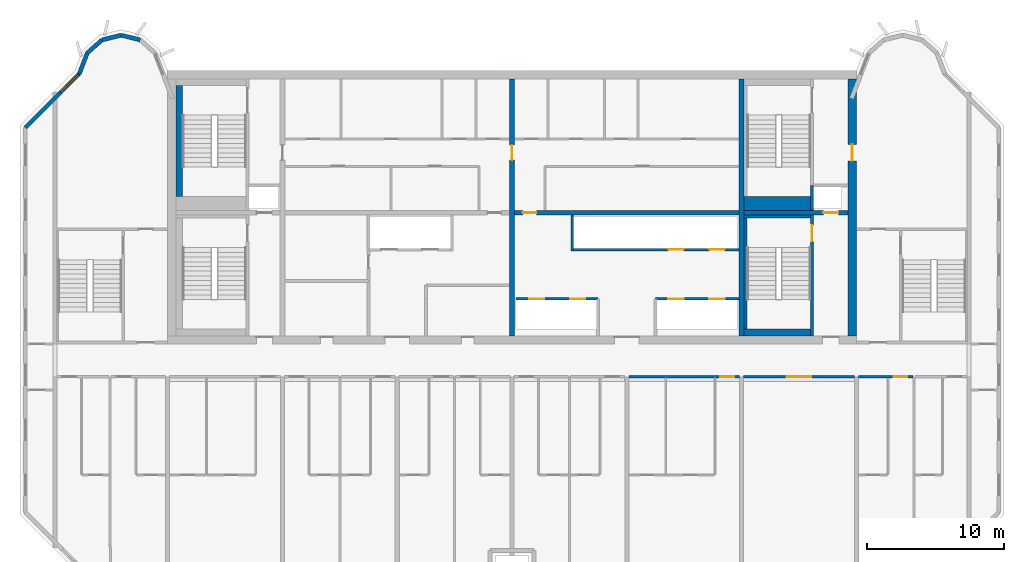
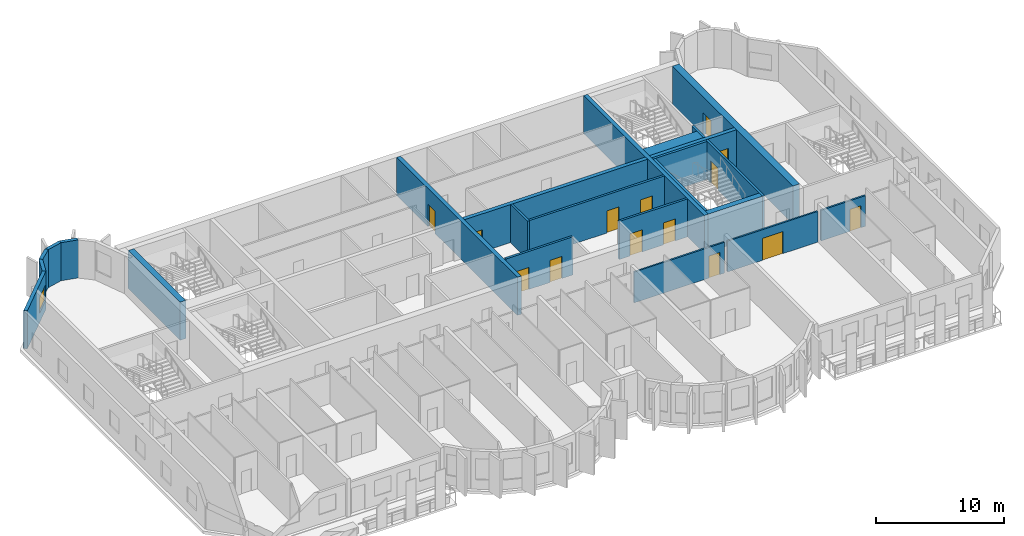
# One storey, part 6 of 11: 24 walls, 14 doors, 1 window, 15 openings.
"""IFC4 building model written with IfcOpenShell, lengths in metres."""

from ifc_helpers import new_model, si_unit, direction, frame, frame_2d, origin, place, context, subcontext, project, spatial, rectangle, extrude, source, transform, mapped, material, layer, layer_set, type_object, element, fill, save


model = new_model("IFC4")

# Units and contexts
model_context = context("Model", 3, precision=1e-05, world=origin(), true_north=direction((0.0, 1.0)))
body_context = subcontext(model_context, "Body", "Model", "MODEL_VIEW")
ifc_project = project(units=[si_unit("LENGTHUNIT", "METRE"), si_unit("AREAUNIT", "SQUARE_METRE"), si_unit("VOLUMEUNIT", "CUBIC_METRE"), si_unit("PLANEANGLEUNIT", "RADIAN"), si_unit("MASSUNIT", "GRAM", prefix="KILO")], contexts=[model_context])

# Site, building, storey
site_placement = place(None, origin())
site = spatial("IfcSite", under=ifc_project, at=site_placement, CompositionType="ELEMENT")
building_placement = place(site_placement, origin())
building = spatial("IfcBuilding", under=site, at=building_placement, Name="Vanashikhar Sky Hotel", CompositionType="ELEMENT")
storey_placement = place(building_placement, frame((0.0, 0.0, 233.5)))
storey = spatial("IfcBuildingStorey", under=building, at=storey_placement, Name="L56", CompositionType="ELEMENT", Elevation=233.5)

# Wall, opening, door
ifc_material_1 = material(Name="Concrete M60", Category="concrete")
ifc_layer_1 = layer(ifc_material_1, 0.60009765625)
ifc_layer_set_1 = layer_set([ifc_layer_1], Name="RC core shell wall 600 Concrete M60")
wall_type_1 = type_object("IfcWallType", Name="RC core shell wall 600 Concrete M60", PredefinedType="SHEAR", material=ifc_layer_set_1)
shared_shape_1 = source(origin(), body_context, "Body", "SweptSolid", [
    extrude(rectangle(XDim=18.7998046875, YDim=0.60009765625, at=frame_2d((9.39990234375, 0.0))), origin(), (0.0, 0.0, 1.0), 3.6201171875),
])
wall_1_placement = place(storey_placement, frame((75.300048828125, 22.60009765625, 0.0), z_axis=(0.0, 0.0, 1.0), x_axis=(0.0, 1.0, 0.0)))
wall_1 = element("IfcWall", 1, at=wall_1_placement, inside=storey, type_object=wall_type_1, Name="KW-L56-KE", PredefinedType="SHEAR", context=body_context, shape_type="MappedRepresentation", body=[
    mapped(shared_shape_1, transform((0.0, 0.0, 0.0), scale=1.0)),
])
shared_shape_2 = source(origin(), body_context, "Body", "SweptSolid", [
    extrude(rectangle(XDim=1.199951171875, YDim=2.10009765625, at=frame_2d((0.60009765625, 1.050048828125))), frame((0.0, 0.31005859375, 0.0), z_axis=(0.0, -1.0, 0.0), x_axis=(1.0, 0.0, 0.0)), (0.0, 0.0, 1.0), 0.6201171875),
])
opening_1_placement = place(wall_1_placement, frame((12.800048828125, 0.0, 0.0)))
opening_1 = element("IfcOpeningElement", 2, at=opening_1_placement, cuts=wall_1, Name="Opening DC-4-D", PredefinedType="OPENING", context=body_context, shape_type="MappedRepresentation", body=[
    mapped(shared_shape_2, transform((0.0, 0.0, 0.0), scale=1.0)),
])
ifc_material_2 = material(Name="Steel", Category="steel")
door_type_1 = type_object("IfcDoorType", Name="Service door 1200 FD120", OperationType="NOTDEFINED", PredefinedType="DOOR", material=ifc_material_2)
shared_shape_3 = source(origin(), body_context, "Body", "SweptSolid", [
    extrude(rectangle(XDim=1.199951171875, YDim=2.10009765625, at=frame_2d((0.60009765625, 1.050048828125))), frame((0.0, 0.02490234375, 0.0), z_axis=(0.0, -1.0, 0.0), x_axis=(1.0, 0.0, 0.0)), (0.0, 0.0, 1.0), 0.050048828125),
])
door_1_placement = place(opening_1_placement, origin())
door_1 = element("IfcDoor", 3, at=door_1_placement, inside=storey, type_object=door_type_1, Name="Service door 1200 FD120", OperationType="SINGLE_SWING_RIGHT", OverallHeight=2.10009765625, OverallWidth=1.199951171875, PredefinedType="DOOR", context=body_context, shape_type="MappedRepresentation", body=[
    mapped(shared_shape_3, transform((0.0, 0.0, 0.0), scale=1.0)),
])
fill(opening_1, door_1)

ifc_layer_2 = layer(ifc_material_1, 0.35009765625)
ifc_layer_set_2 = layer_set([ifc_layer_2], Name="RC core inner wall 350 Concrete M60")
wall_type_2 = type_object("IfcWallType", Name="RC core inner wall 350 Concrete M60", PredefinedType="SHEAR", material=ifc_layer_set_2)
shared_shape_4 = source(origin(), body_context, "Body", "SweptSolid", [
    extrude(rectangle(XDim=18.7998046875, YDim=0.35009765625, at=frame_2d((9.39990234375, 0.0))), origin(), (0.0, 0.0, 1.0), 3.6201171875),
])
wall_2_placement = place(storey_placement, frame((50.39990234375, 22.60009765625, 0.0), z_axis=(0.0, 0.0, 1.0), x_axis=(0.0, 1.0, 0.0)))
wall_2 = element("IfcWall", 4, at=wall_2_placement, inside=storey, type_object=wall_type_2, Name="KW-L56-KX2", PredefinedType="SHEAR", context=body_context, shape_type="MappedRepresentation", body=[
    mapped(shared_shape_4, transform((0.0, 0.0, 0.0), scale=1.0)),
])
shared_shape_5 = source(origin(), body_context, "Body", "SweptSolid", [
    extrude(rectangle(XDim=1.10009765625, YDim=2.10009765625, at=frame_2d((0.550048828125, 1.050048828125))), frame((0.0, 0.18505859375, 0.0), z_axis=(0.0, -1.0, 0.0), x_axis=(1.0, 0.0, 0.0)), (0.0, 0.0, 1.0), 0.3701171875),
])
opening_2_placement = place(wall_2_placement, frame((12.85009765625, 0.0, 0.0)))
opening_2 = element("IfcOpeningElement", 5, at=opening_2_placement, cuts=wall_2, Name="Opening DC-4-C", PredefinedType="OPENING", context=body_context, shape_type="MappedRepresentation", body=[
    mapped(shared_shape_5, transform((0.0, 0.0, 0.0), scale=1.0)),
])
door_type_2 = type_object("IfcDoorType", Name="Service door 1100 FD60", OperationType="NOTDEFINED", PredefinedType="DOOR", material=ifc_material_2)
shared_shape_6 = source(origin(), body_context, "Body", "SweptSolid", [
    extrude(rectangle(XDim=1.10009765625, YDim=2.10009765625, at=frame_2d((0.550048828125, 1.050048828125))), frame((0.0, 0.02490234375, 0.0), z_axis=(0.0, -1.0, 0.0), x_axis=(1.0, 0.0, 0.0)), (0.0, 0.0, 1.0), 0.050048828125),
])
door_2_placement = place(opening_2_placement, origin())
door_2 = element("IfcDoor", 6, at=door_2_placement, inside=storey, type_object=door_type_2, Name="Service door 1100 FD60", OperationType="SINGLE_SWING_LEFT", OverallHeight=2.10009765625, OverallWidth=1.10009765625, PredefinedType="DOOR", context=body_context, shape_type="MappedRepresentation", body=[
    mapped(shared_shape_6, transform((0.0, 0.0, 0.0), scale=1.0)),
])
fill(opening_2, door_2)

# Wall
wall_3_placement = place(storey_placement, frame((67.199951171875, 22.60009765625, 0.0), z_axis=(0.0, 0.0, 1.0), x_axis=(0.0, 1.0, 0.0)))
element("IfcWall", 7, at=wall_3_placement, inside=storey, type_object=wall_type_2, Name="KW-L56-KX3", PredefinedType="SHEAR", context=body_context, shape_type="MappedRepresentation", body=[
    mapped(shared_shape_4, transform((0.0, 0.0, 0.0), scale=1.0)),
])

# Wall, opening, door
shared_shape_7 = source(origin(), body_context, "Body", "SweptSolid", [
    extrude(rectangle(XDim=7.625, YDim=0.35009765625, at=frame_2d((3.8125, 0.0))), origin(), (0.0, 0.0, 1.0), 3.6201171875),
])
wall_4_placement = place(storey_placement, frame((67.375, 31.60009765625, 0.0), z_axis=(0.0, 0.0, 1.0), x_axis=(1.0, 0.0, 0.0)))
wall_4 = element("IfcWall", 8, at=wall_4_placement, inside=storey, type_object=wall_type_2, Name="KW-L56-KY4", PredefinedType="SHEAR", context=body_context, shape_type="MappedRepresentation", body=[
    mapped(shared_shape_7, transform((0.0, 0.0, 0.0), scale=1.0)),
])
opening_3_placement = place(wall_4_placement, frame((5.800048828125, 0.0, 0.0)))
opening_3 = element("IfcOpeningElement", 9, at=opening_3_placement, cuts=wall_4, Name="Opening LD", PredefinedType="OPENING", context=body_context, shape_type="MappedRepresentation", body=[
    mapped(shared_shape_5, transform((0.0, 0.0, 0.0), scale=1.0)),
])
ifc_material_3 = material(Name="Stainless steel", Category="steel")
door_type_3 = type_object("IfcDoorType", Name="Lift landing door 1100", OperationType="NOTDEFINED", PredefinedType="DOOR", material=ifc_material_3)
door_3_placement = place(opening_3_placement, origin())
door_3 = element("IfcDoor", 10, at=door_3_placement, inside=storey, type_object=door_type_3, Name="Lift landing door 1100", OperationType="SLIDING_TO_LEFT", OverallHeight=2.10009765625, OverallWidth=1.10009765625, PredefinedType="DOOR", context=body_context, shape_type="MappedRepresentation", body=[
    mapped(shared_shape_6, transform((0.0, 0.0, 0.0), scale=1.0)),
])
fill(opening_3, door_3)

shared_shape_8 = source(origin(), body_context, "Body", "SweptSolid", [
    extrude(rectangle(XDim=16.449951171875, YDim=0.35009765625, at=frame_2d((8.22509765625, 0.0))), origin(), (0.0, 0.0, 1.0), 3.6201171875),
])
wall_5_placement = place(storey_placement, frame((50.574951171875, 31.60009765625, 0.0), z_axis=(0.0, 0.0, 1.0), x_axis=(1.0, 0.0, 0.0)))
wall_5 = element("IfcWall", 11, at=wall_5_placement, inside=storey, type_object=wall_type_2, Name="KW-L56-KY3", PredefinedType="SHEAR", context=body_context, shape_type="MappedRepresentation", body=[
    mapped(shared_shape_8, transform((0.0, 0.0, 0.0), scale=1.0)),
])
shared_shape_9 = source(origin(), body_context, "Body", "SweptSolid", [
    extrude(rectangle(XDim=1.0, YDim=2.10009765625, at=frame_2d((0.5, 1.050048828125))), frame((0.0, 0.18505859375, 0.0), z_axis=(0.0, -1.0, 0.0), x_axis=(1.0, 0.0, 0.0)), (0.0, 0.0, 1.0), 0.3701171875),
])
opening_4_placement = place(wall_5_placement, frame((0.613037109375, 0.0, 0.0)))
opening_4 = element("IfcOpeningElement", 12, at=opening_4_placement, cuts=wall_5, Name="Opening DC-4", PredefinedType="OPENING", context=body_context, shape_type="MappedRepresentation", body=[
    mapped(shared_shape_9, transform((0.0, 0.0, 0.0), scale=1.0)),
])
door_type_4 = type_object("IfcDoorType", Name="Service door 1000 FD60", OperationType="NOTDEFINED", PredefinedType="DOOR", material=ifc_material_2)
shared_shape_10 = source(origin(), body_context, "Body", "SweptSolid", [
    extrude(rectangle(XDim=1.0, YDim=2.10009765625, at=frame_2d((0.5, 1.050048828125))), frame((0.0, 0.02490234375, 0.0), z_axis=(0.0, -1.0, 0.0), x_axis=(1.0, 0.0, 0.0)), (0.0, 0.0, 1.0), 0.050048828125),
])
door_4_placement = place(opening_4_placement, origin())
door_4 = element("IfcDoor", 13, at=door_4_placement, inside=storey, type_object=door_type_4, Name="Service door 1000 FD60", OperationType="SINGLE_SWING_RIGHT", OverallHeight=2.10009765625, OverallWidth=1.0, PredefinedType="DOOR", context=body_context, shape_type="MappedRepresentation", body=[
    mapped(shared_shape_10, transform((0.0, 0.0, 0.0), scale=1.0)),
])
fill(opening_4, door_4)

# Wall, opening, window
ifc_material_4 = material(Name="Concrete M50", Category="concrete")
ifc_layer_3 = layer(ifc_material_4, 0.300048828125)
ifc_layer_set_3 = layer_set([ifc_layer_3], Name="Lobe wall 300")
wall_type_3 = type_object("IfcWallType", Name="Lobe wall 300", PredefinedType="SOLIDWALL", material=ifc_layer_set_3)
shared_shape_11 = source(origin(), body_context, "Body", "SweptSolid", [
    extrude(rectangle(XDim=5.576416015625, YDim=0.300048828125, at=frame_2d((2.7880859375, 0.0))), origin(), (0.0, 0.0, 1.0), 3.6201171875),
])
wall_6_placement = place(storey_placement, frame((18.7431640625, 41.77734375, 0.0), z_axis=(0.0, 0.0, 1.0), x_axis=(-0.707106781187, -0.707106781187, 0.0)))
wall_6 = element("IfcWall", 14, at=wall_6_placement, inside=storey, type_object=wall_type_3, Name="Corner wall", PredefinedType="SOLIDWALL", context=body_context, shape_type="MappedRepresentation", body=[
    mapped(shared_shape_11, transform((0.0, 0.0, 0.0), scale=1.0)),
])
shared_shape_12 = source(origin(), body_context, "Body", "SweptSolid", [
    extrude(rectangle(XDim=1.800048828125, YDim=1.5, at=frame_2d((0.89990234375, 0.75))), frame((0.0, 0.16015625, 0.0), z_axis=(0.0, -1.0, 0.0), x_axis=(1.0, 0.0, 0.0)), (0.0, 0.0, 1.0), 0.320068359375),
])
opening_5_placement = place(wall_6_placement, frame((0.117919921875, 0.0, 0.89990234375)))
opening_5 = element("IfcOpeningElement", 15, at=opening_5_placement, cuts=wall_6, Name="Opening WN-4", PredefinedType="OPENING", context=body_context, shape_type="MappedRepresentation", body=[
    mapped(shared_shape_12, transform((0.0, 0.0, 0.0), scale=1.0)),
])
ifc_material_5 = material(Name="Glass", Category="glass")
window_type = type_object("IfcWindowType", Name="Corner window 1800 x 1500", PartitioningType="SINGLE_PANEL", PredefinedType="WINDOW", material=ifc_material_5)
shared_shape_13 = source(origin(), body_context, "Body", "SweptSolid", [
    extrude(rectangle(XDim=1.800048828125, YDim=1.5, at=frame_2d((0.89990234375, 0.75))), frame((0.0, 0.030029296875, 0.0), z_axis=(0.0, -1.0, 0.0), x_axis=(1.0, 0.0, 0.0)), (0.0, 0.0, 1.0), 0.06005859375),
])
window_placement = place(opening_5_placement, origin())
window = element("IfcWindow", 16, at=window_placement, inside=storey, type_object=window_type, Name="Window WN-4", OverallHeight=1.5, OverallWidth=1.800048828125, PartitioningType="SINGLE_PANEL", PredefinedType="WINDOW", context=body_context, shape_type="MappedRepresentation", body=[
    mapped(shared_shape_13, transform((0.0, 0.0, 0.0), scale=1.0)),
])
fill(opening_5, window)

# Walls
shared_shape_14 = source(origin(), body_context, "Body", "SweptSolid", [
    extrude(rectangle(XDim=1.6220703125, YDim=0.300048828125, at=frame_2d((0.81103515625, 0.0))), origin(), (0.0, 0.0, 1.0), 3.6201171875),
])
wall_7_placement = place(storey_placement, frame((19.323486328125, 43.2919921875, 0.0), z_axis=(0.0, 0.0, 1.0), x_axis=(-0.357778527068, -0.933806471154, 0.0)))
element("IfcWall", 17, at=wall_7_placement, inside=storey, type_object=wall_type_3, Name="Lobe wall", PredefinedType="SOLIDWALL", context=body_context, shape_type="MappedRepresentation", body=[
    mapped(shared_shape_14, transform((0.0, 0.0, 0.0), scale=1.0)),
])
shared_shape_15 = source(origin(), body_context, "Body", "SweptSolid", [
    extrude(rectangle(XDim=1.43994140625, YDim=0.300048828125, at=frame_2d((0.719970703125, 0.0))), origin(), (0.0, 0.0, 1.0), 3.6201171875),
])
wall_8_placement = place(storey_placement, frame((20.40283203125, 44.2451171875, 0.0), z_axis=(0.0, 0.0, 1.0), x_axis=(-0.74957555648, -0.661918790432, 0.0)))
element("IfcWall", 18, at=wall_8_placement, inside=storey, type_object=wall_type_3, Name="Lobe wall", PredefinedType="SOLIDWALL", context=body_context, shape_type="MappedRepresentation", body=[
    mapped(shared_shape_15, transform((0.0, 0.0, 0.0), scale=1.0)),
])
shared_shape_16 = source(origin(), body_context, "Body", "SweptSolid", [
    extrude(rectangle(XDim=1.438720703125, YDim=0.300048828125, at=frame_2d((0.71923828125, 0.0))), origin(), (0.0, 0.0, 1.0), 3.6201171875),
])
wall_9_placement = place(storey_placement, frame((21.800048828125, 44.588134765625, 0.0), z_axis=(0.0, 0.0, 1.0), x_axis=(-0.971161932466, -0.238420848351, 0.0)))
element("IfcWall", 19, at=wall_9_placement, inside=storey, type_object=wall_type_3, Name="Lobe wall", PredefinedType="SOLIDWALL", context=body_context, shape_type="MappedRepresentation", body=[
    mapped(shared_shape_16, transform((0.0, 0.0, 0.0), scale=1.0)),
])
shared_shape_17 = source(origin(), body_context, "Body", "SweptSolid", [
    extrude(rectangle(XDim=1.4384765625, YDim=0.300048828125, at=frame_2d((0.71923828125, 0.0))), origin(), (0.0, 0.0, 1.0), 3.6201171875),
])
wall_10_placement = place(storey_placement, frame((23.197021484375, 44.2451171875, 0.0), z_axis=(0.0, 0.0, 1.0), x_axis=(-0.971152283879, 0.238460146601, 0.0)))
element("IfcWall", 20, at=wall_10_placement, inside=storey, type_object=wall_type_3, Name="Lobe wall", PredefinedType="SOLIDWALL", context=body_context, shape_type="MappedRepresentation", body=[
    mapped(shared_shape_17, transform((0.0, 0.0, 0.0), scale=1.0)),
])

# Wall, openings, doors
ifc_material_6 = material(Name="Concrete M40", Category="concrete")
ifc_layer_4 = layer(ifc_material_6, 0.199951171875)
ifc_layer_set_4 = layer_set([ifc_layer_4], Name="Shaft wall 200")
wall_type_4 = type_object("IfcWallType", Name="Shaft wall 200", PredefinedType="SOLIDWALL", material=ifc_layer_set_4)
shared_shape_18 = source(origin(), body_context, "Body", "SweptSolid", [
    extrude(rectangle(XDim=6.0, YDim=0.199951171875, at=frame_2d((3.0, 0.0))), origin(), (0.0, 0.0, 1.0), 3.6201171875),
])
wall_11_placement = place(storey_placement, frame((56.699951171875, 25.300048828125, 0.0), z_axis=(0.0, 0.0, 1.0), x_axis=(-1.0, 0.0, 0.0)))
wall_11 = element("IfcWall", 21, at=wall_11_placement, inside=storey, type_object=wall_type_4, Name="Shaft wall 200", PredefinedType="SOLIDWALL", context=body_context, shape_type="MappedRepresentation", body=[
    mapped(shared_shape_18, transform((0.0, 0.0, 0.0), scale=1.0)),
])
shared_shape_19 = source(origin(), body_context, "Body", "SweptSolid", [
    extrude(rectangle(XDim=1.10009765625, YDim=2.10009765625, at=frame_2d((0.550048828125, 1.050048828125))), frame((0.0, 0.10986328125, 0.0), z_axis=(0.0, -1.0, 0.0), x_axis=(1.0, 0.0, 0.0)), (0.0, 0.0, 1.0), 0.219970703125),
])
opening_6_placement = place(wall_11_placement, frame((0.949951171875, 0.0, 0.0)))
opening_6 = element("IfcOpeningElement", 22, at=opening_6_placement, cuts=wall_11, Name="Opening LD", PredefinedType="OPENING", context=body_context, shape_type="MappedRepresentation", body=[
    mapped(shared_shape_19, transform((0.0, 0.0, 0.0), scale=1.0)),
])
opening_7_placement = place(wall_11_placement, frame((3.949951171875, 0.0, 0.0)))
opening_7 = element("IfcOpeningElement", 23, at=opening_7_placement, cuts=wall_11, Name="Opening LD", PredefinedType="OPENING", context=body_context, shape_type="MappedRepresentation", body=[
    mapped(shared_shape_19, transform((0.0, 0.0, 0.0), scale=1.0)),
])
door_5_placement = place(opening_6_placement, origin())
door_5 = element("IfcDoor", 24, at=door_5_placement, inside=storey, type_object=door_type_3, Name="Lift landing door 1100", OperationType="SLIDING_TO_RIGHT", OverallHeight=2.10009765625, OverallWidth=1.10009765625, PredefinedType="DOOR", context=body_context, shape_type="MappedRepresentation", body=[
    mapped(shared_shape_6, transform((0.0, 0.0, 0.0), scale=1.0)),
])
fill(opening_6, door_5)
door_6_placement = place(opening_7_placement, origin())
door_6 = element("IfcDoor", 25, at=door_6_placement, inside=storey, type_object=door_type_3, Name="Lift landing door 1100", OperationType="SLIDING_TO_LEFT", OverallHeight=2.10009765625, OverallWidth=1.10009765625, PredefinedType="DOOR", context=body_context, shape_type="MappedRepresentation", body=[
    mapped(shared_shape_6, transform((0.0, 0.0, 0.0), scale=1.0)),
])
fill(opening_7, door_6)

# Wall
shared_shape_20 = source(origin(), body_context, "Body", "SweptSolid", [
    extrude(rectangle(XDim=2.625, YDim=0.199951171875, at=frame_2d((1.3125, 0.0))), origin(), (0.0, 0.0, 1.0), 3.6201171875),
])
wall_12_placement = place(storey_placement, frame((54.800048828125, 28.800048828125, 0.0), z_axis=(0.0, 0.0, 1.0), x_axis=(0.0, 1.0, 0.0)))
element("IfcWall", 26, at=wall_12_placement, inside=storey, type_object=wall_type_4, Name="Shaft wall 200", PredefinedType="SOLIDWALL", context=body_context, shape_type="MappedRepresentation", body=[
    mapped(shared_shape_20, transform((0.0, 0.0, 0.0), scale=1.0)),
])

# Wall, openings, doors
shared_shape_21 = source(origin(), body_context, "Body", "SweptSolid", [
    extrude(rectangle(XDim=6.125, YDim=0.199951171875, at=frame_2d((3.0625, 0.0))), origin(), (0.0, 0.0, 1.0), 3.6201171875),
])
wall_13_placement = place(storey_placement, frame((67.02490234375, 25.300048828125, 0.0), z_axis=(0.0, 0.0, 1.0), x_axis=(-1.0, 0.0, 0.0)))
wall_13 = element("IfcWall", 27, at=wall_13_placement, inside=storey, type_object=wall_type_4, Name="Shaft wall 200", PredefinedType="SOLIDWALL", context=body_context, shape_type="MappedRepresentation", body=[
    mapped(shared_shape_21, transform((0.0, 0.0, 0.0), scale=1.0)),
])
opening_8_placement = place(wall_13_placement, frame((1.074951171875, 0.0, 0.0)))
opening_8 = element("IfcOpeningElement", 28, at=opening_8_placement, cuts=wall_13, Name="Opening LD", PredefinedType="OPENING", context=body_context, shape_type="MappedRepresentation", body=[
    mapped(shared_shape_19, transform((0.0, 0.0, 0.0), scale=1.0)),
])
opening_9_placement = place(wall_13_placement, frame((4.074951171875, 0.0, 0.0)))
opening_9 = element("IfcOpeningElement", 29, at=opening_9_placement, cuts=wall_13, Name="Opening LD", PredefinedType="OPENING", context=body_context, shape_type="MappedRepresentation", body=[
    mapped(shared_shape_19, transform((0.0, 0.0, 0.0), scale=1.0)),
])
door_7_placement = place(opening_8_placement, origin())
door_7 = element("IfcDoor", 30, at=door_7_placement, inside=storey, type_object=door_type_3, Name="Lift landing door 1100", OperationType="SLIDING_TO_RIGHT", OverallHeight=2.10009765625, OverallWidth=1.10009765625, PredefinedType="DOOR", context=body_context, shape_type="MappedRepresentation", body=[
    mapped(shared_shape_6, transform((0.0, 0.0, 0.0), scale=1.0)),
])
fill(opening_8, door_7)
door_8_placement = place(opening_9_placement, origin())
door_8 = element("IfcDoor", 31, at=door_8_placement, inside=storey, type_object=door_type_3, Name="Lift landing door 1100", OperationType="SLIDING_TO_LEFT", OverallHeight=2.10009765625, OverallWidth=1.10009765625, PredefinedType="DOOR", context=body_context, shape_type="MappedRepresentation", body=[
    mapped(shared_shape_6, transform((0.0, 0.0, 0.0), scale=1.0)),
])
fill(opening_9, door_8)

shared_shape_22 = source(origin(), body_context, "Body", "SweptSolid", [
    extrude(rectangle(XDim=12.125, YDim=0.199951171875, at=frame_2d((6.0625, 0.0))), origin(), (0.0, 0.0, 1.0), 3.6201171875),
])
wall_14_placement = place(storey_placement, frame((67.02490234375, 28.89990234375, 0.0), z_axis=(0.0, 0.0, 1.0), x_axis=(-1.0, 0.0, 0.0)))
wall_14 = element("IfcWall", 32, at=wall_14_placement, inside=storey, type_object=wall_type_4, Name="Shaft wall 200", PredefinedType="SOLIDWALL", context=body_context, shape_type="MappedRepresentation", body=[
    mapped(shared_shape_22, transform((0.0, 0.0, 0.0), scale=1.0)),
])
opening_10_placement = place(wall_14_placement, frame((1.074951171875, 0.0, 0.0)))
opening_10 = element("IfcOpeningElement", 33, at=opening_10_placement, cuts=wall_14, Name="Opening LD", PredefinedType="OPENING", context=body_context, shape_type="MappedRepresentation", body=[
    mapped(shared_shape_19, transform((0.0, 0.0, 0.0), scale=1.0)),
])
opening_11_placement = place(wall_14_placement, frame((4.074951171875, 0.0, 0.0)))
opening_11 = element("IfcOpeningElement", 34, at=opening_11_placement, cuts=wall_14, Name="Opening LD", PredefinedType="OPENING", context=body_context, shape_type="MappedRepresentation", body=[
    mapped(shared_shape_19, transform((0.0, 0.0, 0.0), scale=1.0)),
])
door_9_placement = place(opening_10_placement, origin())
door_9 = element("IfcDoor", 35, at=door_9_placement, inside=storey, type_object=door_type_3, Name="Lift landing door 1100", OperationType="SLIDING_TO_RIGHT", OverallHeight=2.10009765625, OverallWidth=1.10009765625, PredefinedType="DOOR", context=body_context, shape_type="MappedRepresentation", body=[
    mapped(shared_shape_6, transform((0.0, 0.0, 0.0), scale=1.0)),
])
fill(opening_10, door_9)
door_10_placement = place(opening_11_placement, origin())
door_10 = element("IfcDoor", 36, at=door_10_placement, inside=storey, type_object=door_type_3, Name="Lift landing door 1100", OperationType="SLIDING_TO_LEFT", OverallHeight=2.10009765625, OverallWidth=1.10009765625, PredefinedType="DOOR", context=body_context, shape_type="MappedRepresentation", body=[
    mapped(shared_shape_6, transform((0.0, 0.0, 0.0), scale=1.0)),
])
fill(opening_11, door_10)

# Wall, opening, door
ifc_layer_5 = layer(ifc_material_4, 0.199951171875)
ifc_layer_set_5 = layer_set([ifc_layer_5], Name="Stair wall 200")
wall_type_5 = type_object("IfcWallType", Name="Stair wall 200", PredefinedType="SOLIDWALL", material=ifc_layer_set_5)
shared_shape_23 = source(origin(), body_context, "Body", "SweptSolid", [
    extrude(rectangle(XDim=8.824951171875, YDim=0.199951171875, at=frame_2d((4.41259765625, 0.0))), origin(), (0.0, 0.0, 1.0), 3.6201171875),
])
wall_15_placement = place(storey_placement, frame((72.35009765625, 22.60009765625, 0.0), z_axis=(0.0, 0.0, 1.0), x_axis=(0.0, 1.0, 0.0)))
wall_15 = element("IfcWall", 37, at=wall_15_placement, inside=storey, type_object=wall_type_5, Name="Stair wall 200", PredefinedType="SOLIDWALL", context=body_context, shape_type="MappedRepresentation", body=[
    mapped(shared_shape_23, transform((0.0, 0.0, 0.0), scale=1.0)),
])
shared_shape_24 = source(origin(), body_context, "Body", "SweptSolid", [
    extrude(rectangle(XDim=1.199951171875, YDim=2.10009765625, at=frame_2d((0.60009765625, 1.050048828125))), frame((0.0, 0.10986328125, 0.0), z_axis=(0.0, -1.0, 0.0), x_axis=(1.0, 0.0, 0.0)), (0.0, 0.0, 1.0), 0.219970703125),
])
opening_12_placement = place(wall_15_placement, frame((6.89990234375, 0.0, 0.0)))
opening_12 = element("IfcOpeningElement", 38, at=opening_12_placement, cuts=wall_15, Name="Opening DC-1", PredefinedType="OPENING", context=body_context, shape_type="MappedRepresentation", body=[
    mapped(shared_shape_24, transform((0.0, 0.0, 0.0), scale=1.0)),
])
door_type_5 = type_object("IfcDoorType", Name="Stair door 1200 FD120", OperationType="NOTDEFINED", PredefinedType="DOOR", material=ifc_material_2)
door_11_placement = place(opening_12_placement, origin())
door_11 = element("IfcDoor", 39, at=door_11_placement, inside=storey, type_object=door_type_5, Name="Stair door 1200 FD120", OperationType="SINGLE_SWING_RIGHT", OverallHeight=2.10009765625, OverallWidth=1.199951171875, PredefinedType="DOOR", context=body_context, shape_type="MappedRepresentation", body=[
    mapped(shared_shape_3, transform((0.0, 0.0, 0.0), scale=1.0)),
])
fill(opening_12, door_11)

# Walls
shared_shape_25 = source(origin(), body_context, "Body", "SweptSolid", [
    extrude(rectangle(XDim=1.8251953125, YDim=0.199951171875, at=frame_2d((0.91259765625, 0.0))), origin(), (0.0, 0.0, 1.0), 3.6201171875),
])
wall_16_placement = place(storey_placement, frame((72.35009765625, 31.77490234375, 0.0), z_axis=(0.0, 0.0, 1.0), x_axis=(0.0, 1.0, 0.0)))
element("IfcWall", 40, at=wall_16_placement, inside=storey, type_object=wall_type_4, Name="Shaft wall 200", PredefinedType="SOLIDWALL", context=body_context, shape_type="MappedRepresentation", body=[
    mapped(shared_shape_25, transform((0.0, 0.0, 0.0), scale=1.0)),
])
ifc_layer_6 = layer(ifc_material_4, 0.5)
ifc_layer_set_6 = layer_set([ifc_layer_6], Name="Stair infill wall 500")
wall_type_6 = type_object("IfcWallType", Name="Stair infill wall 500", PredefinedType="SOLIDWALL", material=ifc_layer_set_6)
shared_shape_26 = source(origin(), body_context, "Body", "SweptSolid", [
    extrude(rectangle(XDim=8.099853515625, YDim=0.5, at=frame_2d((4.0498046875, 0.0))), origin(), (0.0, 0.0, 1.0), 3.6201171875),
])
wall_17_placement = place(storey_placement, frame((26.050048828125, 32.800048828125, 0.0), z_axis=(0.0, 0.0, 1.0), x_axis=(0.0, 1.0, 0.0)))
element("IfcWall", 41, at=wall_17_placement, inside=storey, type_object=wall_type_6, Name="Stair infill wall 500", PredefinedType="SOLIDWALL", context=body_context, shape_type="MappedRepresentation", body=[
    mapped(shared_shape_26, transform((0.0, 0.0, 0.0), scale=1.0)),
])
shared_shape_27 = source(origin(), body_context, "Body", "SweptSolid", [
    extrude(rectangle(XDim=4.875, YDim=0.5, at=frame_2d((2.4375, 0.0))), origin(), (0.0, 0.0, 1.0), 3.6201171875),
])
wall_18_placement = place(storey_placement, frame((67.375, 22.85009765625, 0.0), z_axis=(0.0, 0.0, 1.0), x_axis=(1.0, 0.0, 0.0)))
element("IfcWall", 42, at=wall_18_placement, inside=storey, type_object=wall_type_6, Name="Stair infill wall 500", PredefinedType="SOLIDWALL", context=body_context, shape_type="MappedRepresentation", body=[
    mapped(shared_shape_27, transform((0.0, 0.0, 0.0), scale=1.0)),
])
ifc_layer_7 = layer(ifc_material_4, 0.22509765625)
ifc_layer_set_7 = layer_set([ifc_layer_7], Name="Stair infill wall 225")
wall_type_7 = type_object("IfcWallType", Name="Stair infill wall 225", PredefinedType="SOLIDWALL", material=ifc_layer_set_7)
shared_shape_28 = source(origin(), body_context, "Body", "SweptSolid", [
    extrude(rectangle(XDim=4.875, YDim=0.22509765625, at=frame_2d((2.4375, 0.0))), origin(), (0.0, 0.0, 1.0), 3.6201171875),
])
wall_19_placement = place(storey_placement, frame((67.375, 31.31201171875, 0.0), z_axis=(0.0, 0.0, 1.0), x_axis=(1.0, 0.0, 0.0)))
element("IfcWall", 43, at=wall_19_placement, inside=storey, type_object=wall_type_7, Name="Stair infill wall 225", PredefinedType="SOLIDWALL", context=body_context, shape_type="MappedRepresentation", body=[
    mapped(shared_shape_28, transform((0.0, 0.0, 0.0), scale=1.0)),
])
shared_shape_29 = source(origin(), body_context, "Body", "SweptSolid", [
    extrude(rectangle(XDim=8.099853515625, YDim=0.22509765625, at=frame_2d((4.0498046875, 0.0))), origin(), (0.0, 0.0, 1.0), 3.6201171875),
])
wall_20_placement = place(storey_placement, frame((67.487060546875, 23.10009765625, 0.0), z_axis=(0.0, 0.0, 1.0), x_axis=(0.0, 1.0, 0.0)))
element("IfcWall", 44, at=wall_20_placement, inside=storey, type_object=wall_type_7, Name="Stair infill wall 225", PredefinedType="SOLIDWALL", context=body_context, shape_type="MappedRepresentation", body=[
    mapped(shared_shape_29, transform((0.0, 0.0, 0.0), scale=1.0)),
])
ifc_layer_8 = layer(ifc_material_4, 1.02490234375)
ifc_layer_set_8 = layer_set([ifc_layer_8], Name="Stair infill wall 1025")
wall_type_8 = type_object("IfcWallType", Name="Stair infill wall 1025", PredefinedType="SOLIDWALL", material=ifc_layer_set_8)
shared_shape_30 = source(origin(), body_context, "Body", "SweptSolid", [
    extrude(rectangle(XDim=4.875, YDim=1.02490234375, at=frame_2d((2.4375, 0.0))), origin(), (0.0, 0.0, 1.0), 3.6201171875),
])
wall_21_placement = place(storey_placement, frame((67.375, 32.287109375, 0.0), z_axis=(0.0, 0.0, 1.0), x_axis=(1.0, 0.0, 0.0)))
element("IfcWall", 45, at=wall_21_placement, inside=storey, type_object=wall_type_8, Name="Stair infill wall 1025", PredefinedType="SOLIDWALL", context=body_context, shape_type="MappedRepresentation", body=[
    mapped(shared_shape_30, transform((0.0, 0.0, 0.0), scale=1.0)),
])

# Wall, opening, door
ifc_material_7 = material(Name="Gypsum plasterboard partition")
ifc_layer_9 = layer(ifc_material_7, 0.14990234375)
ifc_layer_set_9 = layer_set([ifc_layer_9], Name="Corridor and demising partition 150")
wall_type_9 = type_object("IfcWallType", Name="Corridor and demising partition 150", PredefinedType="PARTITIONING", material=ifc_layer_set_9)
shared_shape_31 = source(origin(), body_context, "Body", "SweptSolid", [
    extrude(rectangle(XDim=3.97509765625, YDim=0.14990234375, at=frame_2d((1.987548828125, 0.0))), origin(), (0.0, 0.0, 1.0), 2.919921875),
])
wall_22_placement = place(storey_placement, frame((75.75, 19.60009765625, 0.0), z_axis=(0.0, 0.0, 1.0), x_axis=(1.0, 0.0, 0.0)))
wall_22 = element("IfcWall", 46, at=wall_22_placement, inside=storey, type_object=wall_type_9, Name="W-L56-PW042", PredefinedType="PARTITIONING", context=body_context, shape_type="MappedRepresentation", body=[
    mapped(shared_shape_31, transform((0.0, 0.0, 0.0), scale=1.0)),
])
shared_shape_32 = source(origin(), body_context, "Body", "SweptSolid", [
    extrude(rectangle(XDim=1.0, YDim=2.10009765625, at=frame_2d((0.5, 1.050048828125))), frame((0.0, 0.0849609375, 0.0), z_axis=(0.0, -1.0, 0.0), x_axis=(1.0, 0.0, 0.0)), (0.0, 0.0, 1.0), 0.169921875),
])
opening_13_placement = place(wall_22_placement, frame((2.574951171875, 0.0, 0.0)))
opening_13 = element("IfcOpeningElement", 47, at=opening_13_placement, cuts=wall_22, Name="Opening D-01", PredefinedType="OPENING", context=body_context, shape_type="MappedRepresentation", body=[
    mapped(shared_shape_32, transform((0.0, 0.0, 0.0), scale=1.0)),
])
ifc_material_8 = material(Name="Timber fire door", Category="wood")
door_type_6 = type_object("IfcDoorType", Name="Guest entry door 1000 FD30S", OperationType="NOTDEFINED", PredefinedType="DOOR", material=ifc_material_8)
door_12_placement = place(opening_13_placement, origin())
door_12 = element("IfcDoor", 48, at=door_12_placement, inside=storey, type_object=door_type_6, Name="D-L56-025", OperationType="SINGLE_SWING_RIGHT", OverallHeight=2.10009765625, OverallWidth=1.0, PredefinedType="DOOR", context=body_context, shape_type="MappedRepresentation", body=[
    mapped(shared_shape_10, transform((0.0, 0.0, 0.0), scale=1.0)),
])
fill(opening_13, door_12)

shared_shape_33 = source(origin(), body_context, "Body", "SweptSolid", [
    extrude(rectangle(XDim=8.099853515625, YDim=0.14990234375, at=frame_2d((4.0498046875, 0.0))), origin(), (0.0, 0.0, 1.0), 2.919921875),
])
wall_23_placement = place(storey_placement, frame((67.35009765625, 19.60009765625, 0.0), z_axis=(0.0, 0.0, 1.0), x_axis=(1.0, 0.0, 0.0)))
wall_23 = element("IfcWall", 49, at=wall_23_placement, inside=storey, type_object=wall_type_9, Name="W-L56-PW039", PredefinedType="PARTITIONING", context=body_context, shape_type="MappedRepresentation", body=[
    mapped(shared_shape_33, transform((0.0, 0.0, 0.0), scale=1.0)),
])
shared_shape_34 = source(origin(), body_context, "Body", "SweptSolid", [
    extrude(rectangle(XDim=1.800048828125, YDim=2.10009765625, at=frame_2d((0.89990234375, 1.050048828125))), frame((0.0, 0.0849609375, 0.0), z_axis=(0.0, -1.0, 0.0), x_axis=(1.0, 0.0, 0.0)), (0.0, 0.0, 1.0), 0.169921875),
])
opening_14_placement = place(wall_23_placement, frame((3.14990234375, 0.0, 0.0)))
opening_14 = element("IfcOpeningElement", 50, at=opening_14_placement, cuts=wall_23, Name="Opening D-03", PredefinedType="OPENING", context=body_context, shape_type="MappedRepresentation", body=[
    mapped(shared_shape_34, transform((0.0, 0.0, 0.0), scale=1.0)),
])
door_type_7 = type_object("IfcDoorType", Name="Double leaf door 1800 FD30S", OperationType="NOTDEFINED", PredefinedType="DOOR", material=ifc_material_8)
shared_shape_35 = source(origin(), body_context, "Body", "SweptSolid", [
    extrude(rectangle(XDim=1.800048828125, YDim=2.10009765625, at=frame_2d((0.89990234375, 1.050048828125))), frame((0.0, 0.02490234375, 0.0), z_axis=(0.0, -1.0, 0.0), x_axis=(1.0, 0.0, 0.0)), (0.0, 0.0, 1.0), 0.050048828125),
])
door_13_placement = place(opening_14_placement, origin())
door_13 = element("IfcDoor", 51, at=door_13_placement, inside=storey, type_object=door_type_7, Name="D-L56-023", OperationType="DOUBLE_DOOR_SINGLE_SWING", OverallHeight=2.10009765625, OverallWidth=1.800048828125, PredefinedType="DOOR", context=body_context, shape_type="MappedRepresentation", body=[
    mapped(shared_shape_35, transform((0.0, 0.0, 0.0), scale=1.0)),
])
fill(opening_14, door_13)

shared_shape_36 = source(origin(), body_context, "Body", "SweptSolid", [
    extrude(rectangle(XDim=8.10009765625, YDim=0.14990234375, at=frame_2d((4.050048828125, 0.0))), origin(), (0.0, 0.0, 1.0), 2.919921875),
])
wall_24_placement = place(storey_placement, frame((58.949951171875, 19.60009765625, 0.0), z_axis=(0.0, 0.0, 1.0), x_axis=(1.0, 0.0, 0.0)))
wall_24 = element("IfcWall", 52, at=wall_24_placement, inside=storey, type_object=wall_type_9, Name="W-L56-PW038", PredefinedType="PARTITIONING", context=body_context, shape_type="MappedRepresentation", body=[
    mapped(shared_shape_36, transform((0.0, 0.0, 0.0), scale=1.0)),
])
opening_15_placement = place(wall_24_placement, frame((6.699951171875, 0.0, 0.0)))
opening_15 = element("IfcOpeningElement", 53, at=opening_15_placement, cuts=wall_24, Name="Opening D-01", PredefinedType="OPENING", context=body_context, shape_type="MappedRepresentation", body=[
    mapped(shared_shape_32, transform((0.0, 0.0, 0.0), scale=1.0)),
])
door_14_placement = place(opening_15_placement, origin())
door_14 = element("IfcDoor", 54, at=door_14_placement, inside=storey, type_object=door_type_6, Name="D-L56-022", OperationType="SINGLE_SWING_RIGHT", OverallHeight=2.10009765625, OverallWidth=1.0, PredefinedType="DOOR", context=body_context, shape_type="MappedRepresentation", body=[
    mapped(shared_shape_10, transform((0.0, 0.0, 0.0), scale=1.0)),
])
fill(opening_15, door_14)

save(model, "model.ifc")
